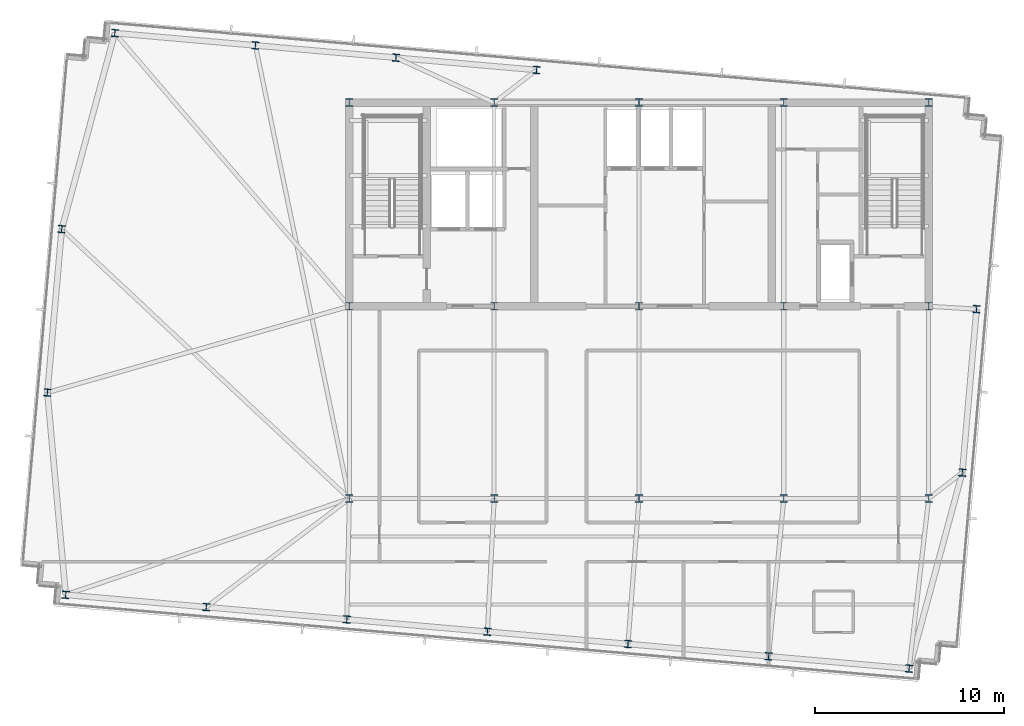
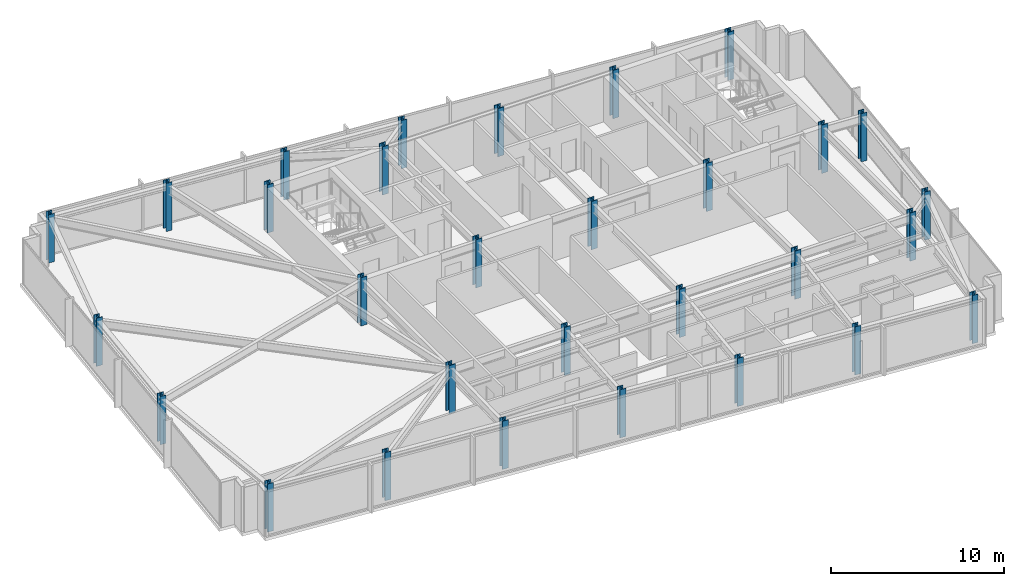
# One storey, part 1 of 32: 30 columns.
"""IFC4 building model written with IfcOpenShell, lengths in metres."""

from ifc_helpers import new_model, si_unit, direction, frame, origin, origin_2d, place, context, subcontext, project, spatial, i_section, extrude, material, material_profile, profile_set, type_object, element, save


model = new_model("IFC4")

# Units and contexts
model_context = context("Model", 3, precision=1e-05, world=origin(), true_north=direction((0.0, 1.0)))
body_context = subcontext(model_context, "Body", "Model", "MODEL_VIEW")
ifc_project = project(units=[si_unit("LENGTHUNIT", "METRE"), si_unit("AREAUNIT", "SQUARE_METRE"), si_unit("VOLUMEUNIT", "CUBIC_METRE"), si_unit("PLANEANGLEUNIT", "RADIAN"), si_unit("MASSUNIT", "GRAM", prefix="KILO")], contexts=[model_context])

# Site, building, storey
site_placement = place(None, origin())
site = spatial("IfcSite", under=ifc_project, at=site_placement, CompositionType="ELEMENT")
building_placement = place(site_placement, origin())
building = spatial("IfcBuilding", under=site, at=building_placement, Name="Yelkora Congress Tower", CompositionType="ELEMENT")
storey_placement = place(building_placement, frame((0.0, 0.0, 279.5)))
storey = spatial("IfcBuildingStorey", under=building, at=storey_placement, Name="L78", CompositionType="ELEMENT", Elevation=279.5)

# Columns
ifc_material_1 = material(Name="Steel S355J2", Category="steel")
ifc_material_profile_1 = material_profile(ifc_material_1, i_section(OverallWidth=0.3779296875, OverallDepth=0.386962890625, WebThickness=0.0205078125, FlangeThickness=0.033203125, FilletRadius=0.014892578125, at=origin_2d()), Name="HD 360x262")
ifc_profile_set_1 = profile_set([ifc_material_profile_1], Name="Steel S355J2")
column_type_1 = type_object("IfcColumnType", Name="COL-HD-262-EXT", PredefinedType="COLUMN", material=ifc_profile_set_1)
for number, where, z_axis, x_axis, name in (
    (1, (7.998046875, 20.097900390625, 0.0), (0.0, 0.0, 1.0), (0.996194698092, -0.087155742748, 0.0), "L78 Perimeter Column S01"),
    (2, (15.452880859375, 19.445556640625, 0.0), (0.0, 0.0, 1.0), (0.996194698092, -0.087155742748, 0.0), "L78 Perimeter Column S02"),
    (3, (22.90771484375, 18.793212890625, 0.0), (0.0, 0.0, 1.0), (0.996194698092, -0.087155742748, 0.0), "L78 Perimeter Column S03"),
    (4, (30.362548828125, 18.14111328125, 0.0), (0.0, 0.0, 1.0), (0.996194698092, -0.087155742748, 0.0), "L78 Perimeter Column S04"),
    (5, (37.8173828125, 17.489013671875, 0.0), (0.0, 0.0, 1.0), (0.996194698092, -0.087155742748, 0.0), "L78 Perimeter Column S05"),
    (6, (45.2724609375, 16.836669921875, 0.0), (0.0, 0.0, 1.0), (0.996194698092, -0.087155742748, 0.0), "L78 Perimeter Column S06"),
    (7, (52.727294921875, 16.1845703125, 0.0), (0.0, 0.0, 1.0), (0.996194698092, -0.087155742748, 0.0), "L78 Perimeter Column S07"),
    (8, (10.60400390625, 49.884033203125, 0.0), (0.0, 0.0, 1.0), (0.996194698092, -0.087155742748, 0.0), "L78 Perimeter Column N01"),
    (9, (18.058837890625, 49.231689453125, 0.0), (0.0, 0.0, 1.0), (0.996194698092, -0.087155742748, 0.0), "L78 Perimeter Column N02"),
    (10, (25.513916015625, 48.57958984375, 0.0), (0.0, 0.0, 1.0), (0.996194698092, -0.087155742748, 0.0), "L78 Perimeter Column N03"),
    (11, (32.968505859375, 47.927490234375, 0.0), (0.0, 0.0, 1.0), (0.996194698092, -0.087155742748, 0.0), "L78 Perimeter Column N04"),
    (12, (7.029052734375, 30.822998046875, 0.0), (0.0, 0.0, 1.0), (0.996194698092, -0.087155742748, 0.0), "L78 Perimeter Column W01"),
    (13, (55.543701171875, 26.57861328125, 0.0), (0.0, 0.0, 1.0), (0.996194698092, -0.087155742748, 0.0), "L78 Perimeter Column E01"),
    (14, (7.787353515625, 39.489990234375, 0.0), (0.0, 0.0, 1.0), (0.996194698092, -0.087155742748, 0.0), "L78 Perimeter Column W02"),
    (15, (56.302001953125, 35.24560546875, 0.0), (0.0, 0.0, 1.0), (0.996194698092, -0.087155742748, 0.0), "L78 Perimeter Column E02"),
):
    element("IfcColumn", number, at=place(storey_placement, frame(where, z_axis=z_axis, x_axis=x_axis)), inside=storey, type_object=column_type_1, Name=name, PredefinedType="COLUMN", context=body_context, shape_type="SweptSolid", body=[
        extrude(i_section(OverallWidth=0.3779296875, OverallDepth=0.386962890625, WebThickness=0.0205078125, FlangeThickness=0.033203125, FilletRadius=0.014892578125, at=origin_2d()), origin(), (0.0, 0.0, 1.0), 3.39990234375),
    ])
ifc_material_2 = material(Name="Steel S460M", Category="steel")
ifc_material_profile_2 = material_profile(ifc_material_2, i_section(OverallWidth=0.406005859375, OverallDepth=0.416015625, WebThickness=0.02978515625, FlangeThickness=0.048095703125, FilletRadius=0.014892578125, at=origin_2d()), Name="HD 400x382")
ifc_profile_set_2 = profile_set([ifc_material_profile_2], Name="Steel S460M")
column_type_2 = type_object("IfcColumnType", Name="COL-HD-382", PredefinedType="COLUMN", material=ifc_profile_set_2)
for number, where, z_axis, x_axis, name in (
    (16, (23.0400390625, 35.39990234375, 0.0), (0.0, 0.0, 1.0), (1.0, 0.0, 0.0), "L78 Mega Column MC-S1"),
    (17, (23.0400390625, 46.199951171875, 0.0), (0.0, 0.0, 1.0), (1.0, 0.0, 0.0), "L78 Mega Column MC-N1"),
    (18, (23.0400390625, 25.199951171875, 0.0), (0.0, 0.0, 1.0), (1.0, 0.0, 0.0), "L78 Mega Column MC-D1"),
    (19, (30.719970703125, 35.39990234375, 0.0), (0.0, 0.0, 1.0), (1.0, 0.0, 0.0), "L78 Mega Column MC-S2"),
    (20, (30.719970703125, 46.199951171875, 0.0), (0.0, 0.0, 1.0), (1.0, 0.0, 0.0), "L78 Mega Column MC-N2"),
    (21, (30.719970703125, 25.199951171875, 0.0), (0.0, 0.0, 1.0), (1.0, 0.0, 0.0), "L78 Mega Column MC-D2"),
    (22, (38.39990234375, 35.39990234375, 0.0), (0.0, 0.0, 1.0), (1.0, 0.0, 0.0), "L78 Mega Column MC-S3"),
    (23, (38.39990234375, 46.199951171875, 0.0), (0.0, 0.0, 1.0), (1.0, 0.0, 0.0), "L78 Mega Column MC-N3"),
    (24, (38.39990234375, 25.199951171875, 0.0), (0.0, 0.0, 1.0), (1.0, 0.0, 0.0), "L78 Mega Column MC-D3"),
    (25, (46.080078125, 35.39990234375, 0.0), (0.0, 0.0, 1.0), (1.0, 0.0, 0.0), "L78 Mega Column MC-S4"),
    (26, (46.080078125, 46.199951171875, 0.0), (0.0, 0.0, 1.0), (1.0, 0.0, 0.0), "L78 Mega Column MC-N4"),
    (27, (46.080078125, 25.199951171875, 0.0), (0.0, 0.0, 1.0), (1.0, 0.0, 0.0), "L78 Mega Column MC-D4"),
    (28, (53.760009765625, 35.39990234375, 0.0), (0.0, 0.0, 1.0), (1.0, 0.0, 0.0), "L78 Mega Column MC-S5"),
    (29, (53.760009765625, 46.199951171875, 0.0), (0.0, 0.0, 1.0), (1.0, 0.0, 0.0), "L78 Mega Column MC-N5"),
    (30, (53.760009765625, 25.199951171875, 0.0), (0.0, 0.0, 1.0), (1.0, 0.0, 0.0), "L78 Mega Column MC-D5"),
):
    element("IfcColumn", number, at=place(storey_placement, frame(where, z_axis=z_axis, x_axis=x_axis)), inside=storey, type_object=column_type_2, Name=name, PredefinedType="COLUMN", context=body_context, shape_type="SweptSolid", body=[
        extrude(i_section(OverallWidth=0.406005859375, OverallDepth=0.416015625, WebThickness=0.02978515625, FlangeThickness=0.048095703125, FilletRadius=0.014892578125, at=origin_2d()), origin(), (0.0, 0.0, 1.0), 3.39990234375),
    ])

save(model, "model.ifc")
